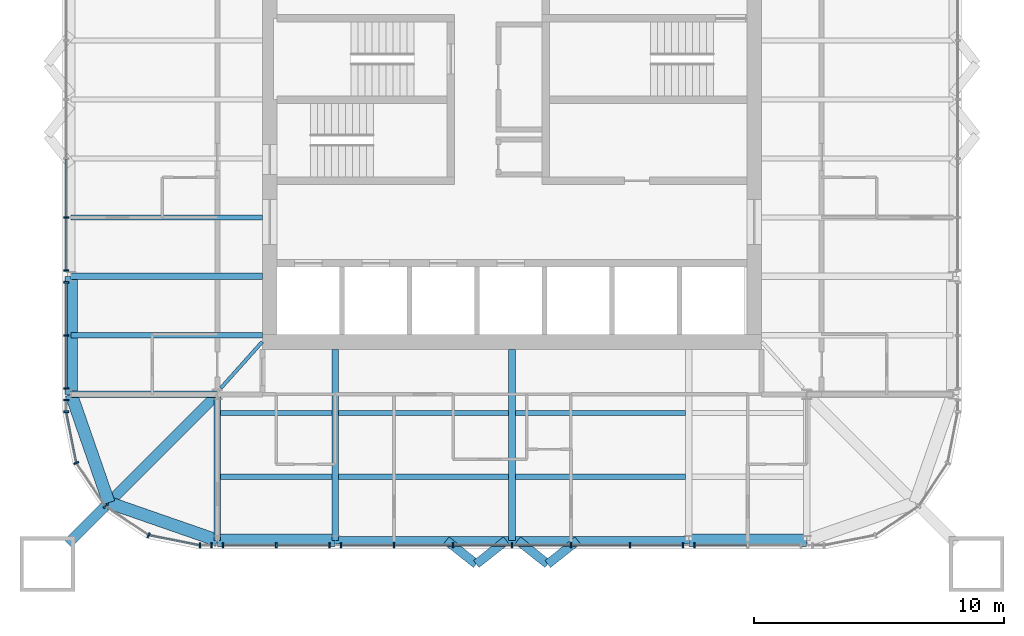
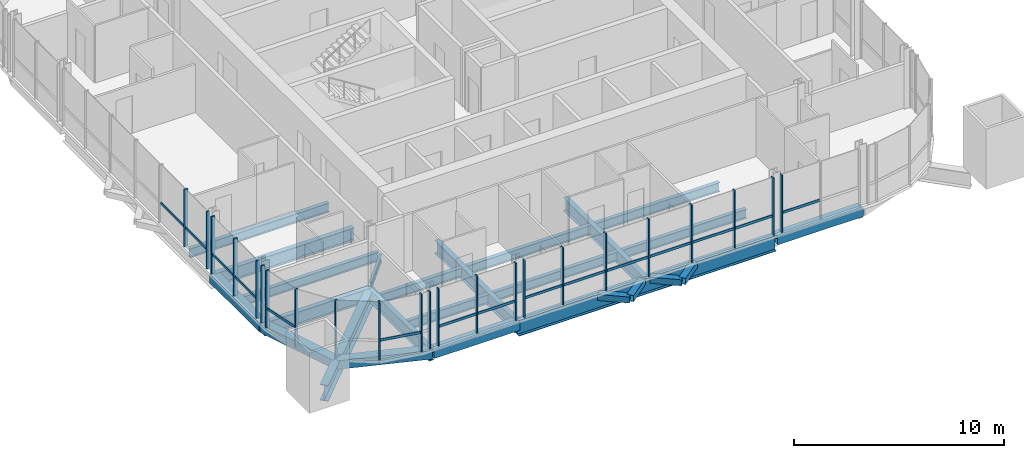
# One storey, part 2 of 17: 38 members, 25 beams, 8 elements without a shape of their own.
"""IFC4 building model written with IfcOpenShell, lengths in metres."""

import ifcopenshell
import ifcopenshell.guid

model = None  # the IFC model being written
_history = None  # IfcOwnerHistory: only IFC2X3 demands one
_inside = {}  # id of a spatial element -> (the spatial element, [elements in it])
_under = {}  # id of a project, library or spatial element -> (it, [spatial elements below it])
_declared = {}  # id of a project -> (the project, [libraries it declares])
_typed = {}  # id of a type object -> (the type object, [elements of that type])
_made_of = {}  # id of a material, layer set ... -> (it, [elements and type objects made of it])


def new_model(schema):
    """Start an empty IFC model of exactly this schema.

    Asked for "IFC4X3", IfcOpenShell would pick the latest addendum, in which some entities
    have other attributes; the version numbers below select the first issue.
    IFC2X3 requires an IfcOwnerHistory on every rooted entity: one is made here for all.
    """
    global model, _history
    if schema == "IFC4X3":
        model = ifcopenshell.file(schema_version=(4, 3, 0, 0))
    else:
        model = ifcopenshell.file(schema=schema)
    _inside.clear()
    _under.clear()
    _declared.clear()
    _typed.clear()
    _made_of.clear()
    _history = None
    if model.schema == "IFC2X3":
        org = make("IfcOrganization", Name="unknown")
        user = make(
            "IfcPersonAndOrganization",
            ThePerson=make("IfcPerson", FamilyName="unknown"),
            TheOrganization=org,
        )
        app = make(
            "IfcApplication",
            ApplicationDeveloper=org,
            Version="unknown",
            ApplicationFullName="unknown",
            ApplicationIdentifier="unknown",
        )
        _history = make(
            "IfcOwnerHistory",
            OwningUser=user,
            OwningApplication=app,
            ChangeAction="ADDED",
            CreationDate=0,
        )
    return model


def make(cls, **values):
    """One entity of the class cls with the attributes given. An attribute that is None is left unset."""
    return model.create_entity(
        cls, **{name: value for name, value in values.items() if value is not None}
    )


def rooted(cls, **values):
    """An entity with a GlobalId (a new one), such as an element, a storey or a relation."""
    return make(cls, GlobalId=ifcopenshell.guid.new(), OwnerHistory=_history, **values)


def si_unit(unit_type, name, prefix=None):
    """IfcSIUnit, for example si_unit("LENGTHUNIT", "METRE", prefix="MILLI")."""
    return make("IfcSIUnit", UnitType=unit_type, Prefix=prefix, Name=name)


def assignment(units):
    """IfcUnitAssignment: the units of a project."""
    return None if units is None else make("IfcUnitAssignment", Units=units)


def point(xyz):
    """IfcCartesianPoint."""
    return None if xyz is None else make("IfcCartesianPoint", Coordinates=xyz)


def direction(xyz):
    """IfcDirection."""
    return None if xyz is None else make("IfcDirection", DirectionRatios=xyz)


def frame(location, z_axis=None, x_axis=None):
    """IfcAxis2Placement3D, a coordinate frame: its origin and axes. An axis left out is left unset."""
    return make(
        "IfcAxis2Placement3D",
        Location=point(location),
        Axis=direction(z_axis),
        RefDirection=direction(x_axis),
    )


def frame_2d(location, x_axis=None):
    """IfcAxis2Placement2D, a coordinate frame in the plane: its origin and x axis."""
    return make(
        "IfcAxis2Placement2D", Location=point(location), RefDirection=direction(x_axis)
    )


def origin():
    """The frame at (0, 0, 0) with its axes left unset."""
    return frame((0.0, 0.0, 0.0))


def origin_2d():
    """The frame at (0, 0) in the plane with its x axis left unset."""
    return frame_2d((0.0, 0.0))


def place(relative_to, where):
    """IfcLocalPlacement: puts the frame where relative to a parent placement (None: the world)."""
    return make(
        "IfcLocalPlacement", PlacementRelTo=relative_to, RelativePlacement=where
    )


def context(
    kind, dimensions, precision=None, world=None, true_north=None, identifier=None
):
    """IfcGeometricRepresentationContext, for example the 3D "Model" context."""
    return make(
        "IfcGeometricRepresentationContext",
        ContextIdentifier=identifier,
        ContextType=kind,
        CoordinateSpaceDimension=dimensions,
        Precision=precision,
        WorldCoordinateSystem=world,
        TrueNorth=true_north,
    )


def subcontext(parent, identifier, kind, view, scale=None):
    """IfcGeometricRepresentationSubContext, for example "Body" below "Model"."""
    return make(
        "IfcGeometricRepresentationSubContext",
        ContextIdentifier=identifier,
        ContextType=kind,
        ParentContext=parent,
        TargetScale=scale,
        TargetView=view,
    )


def project(units=None, contexts=None):
    """IfcProject with its units and contexts."""
    return rooted(
        "IfcProject",
        Name="project",
        RepresentationContexts=contexts,
        UnitsInContext=assignment(units),
    )


def spatial(cls, under=None, at=None, **own):
    """A site, building, storey or space (cls), placed at a placement, below another one or the project."""
    s = rooted(cls, ObjectPlacement=at, **own)
    if under is not None:
        _under.setdefault(under.id(), (under, []))[1].append(s)
    return s


def profile(cls, at=None, kind="AREA", **sizes):
    """A parametric profile (cls). Its sizes go by their IFC names, for example OverallWidth=200.0."""
    return make(cls, ProfileType=kind, Position=at, **sizes)


def rectangle(**sizes):
    """IfcRectangleProfileDef."""
    return profile("IfcRectangleProfileDef", **sizes)


def hollow_rectangle(**sizes):
    """IfcRectangleHollowProfileDef."""
    return profile("IfcRectangleHollowProfileDef", **sizes)


def i_section(**sizes):
    """IfcIShapeProfileDef."""
    return profile("IfcIShapeProfileDef", **sizes)


def extrude(swept, where, along, depth):
    """IfcExtrudedAreaSolid: the profile swept, set in the frame where, extruded along a direction by depth."""
    return make(
        "IfcExtrudedAreaSolid",
        SweptArea=swept,
        Position=where,
        ExtrudedDirection=direction(along),
        Depth=depth,
    )


def shape(context_of_items, identifier, shape_type, items):
    """IfcShapeRepresentation: the items that make up one representation, for example the "Body"."""
    return make(
        "IfcShapeRepresentation",
        ContextOfItems=context_of_items,
        RepresentationIdentifier=identifier,
        RepresentationType=shape_type,
        Items=items,
    )


def material(Name=None, Category=None):
    """IfcMaterial."""
    return make("IfcMaterial", Name=Name, Category=Category)


def material_profile(
    of_material, cross_section, Name=None, Category=None, Priority=None
):
    """IfcMaterialProfile: a cross section and its material."""
    return make(
        "IfcMaterialProfile",
        Name=Name,
        Material=of_material,
        Profile=cross_section,
        Priority=Priority,
        Category=Category,
    )


def profile_set(profiles, Name=None, composite=None):
    """IfcMaterialProfileSet."""
    return make(
        "IfcMaterialProfileSet",
        Name=Name,
        MaterialProfiles=profiles,
        CompositeProfile=composite,
    )


def made_of(thing, what):
    """Note that an element or type object is made of a material, layer set ...; save() writes the relation."""
    if what is not None:
        _made_of.setdefault(what.id(), (what, []))[1].append(thing)
    return thing


def type_object(cls, material=None, **own):
    """A type object (cls), such as IfcWallType, which elements share."""
    return made_of(rooted(cls, **own), material)


def element(
    cls,
    number,
    at=None,
    inside=None,
    cuts=None,
    type_object=None,
    material=None,
    context=None,
    identifier="Body",
    shape_type=None,
    held_by="IfcProductDefinitionShape",
    body=None,
    shapes=None,
    **own,
):
    """One element of the class cls, such as IfcWall. Its Tag is "e" and its number.

    at: its placement. inside: the storey or other place that contains it. cuts: it is an
    opening in that element (IfcRelVoidsElement). A single representation is given by context,
    identifier, shape_type and body (its items); several are given by shapes. held_by: the class
    of the entity that holds the representations. save() writes the other relations.
    """
    e = rooted(cls, Tag="e%d" % number, ObjectPlacement=at, **own)
    if body is not None:
        shapes = [shape(context, identifier, shape_type, body)]
    if shapes is not None:
        e.Representation = make(held_by, Representations=shapes)
    if inside is not None:
        _inside.setdefault(inside.id(), (inside, []))[1].append(e)
    if cuts is not None:
        rooted(
            "IfcRelVoidsElement", RelatingBuildingElement=cuts, RelatedOpeningElement=e
        )
    if type_object is not None:
        _typed.setdefault(type_object.id(), (type_object, []))[1].append(e)
    return made_of(e, material)


def aggregate(whole, parts):
    """IfcRelAggregates: a whole, such as a stair, and the parts it consists of."""
    return rooted("IfcRelAggregates", RelatingObject=whole, RelatedObjects=parts)


def save(model, path):
    """Write the relations noted so far, then the file.

    IfcRelAggregates (storeys below a building ...), IfcRelContainedInSpatialStructure (elements
    in a storey), IfcRelDefinesByType, IfcRelAssociatesMaterial and IfcRelDeclares: one each for
    every whole, place, type object, material and project.
    """
    for whole, parts in _under.values():
        aggregate(whole, parts)
    for where, things in _inside.values():
        rooted(
            "IfcRelContainedInSpatialStructure",
            RelatedElements=things,
            RelatingStructure=where,
        )
    for kind, things in _typed.values():
        rooted("IfcRelDefinesByType", RelatedObjects=things, RelatingType=kind)
    for what, things in _made_of.values():
        rooted("IfcRelAssociatesMaterial", RelatedObjects=things, RelatingMaterial=what)
    for by, libraries in _declared.values():
        rooted("IfcRelDeclares", RelatingContext=by, RelatedDefinitions=libraries)
    model.write(path)


model = new_model("IFC4")

# Units and contexts
model_context = context("Model", 3, precision=1e-05, world=origin(), true_north=direction((0.0, 1.0)))
body_context = subcontext(model_context, "Body", "Model", "MODEL_VIEW")
ifc_project = project(units=[si_unit("LENGTHUNIT", "METRE"), si_unit("AREAUNIT", "SQUARE_METRE"), si_unit("VOLUMEUNIT", "CUBIC_METRE"), si_unit("PLANEANGLEUNIT", "RADIAN"), si_unit("MASSUNIT", "GRAM", prefix="KILO")], contexts=[model_context])

# Site, building, storey
site_placement = place(None, origin())
site = spatial("IfcSite", under=ifc_project, at=site_placement, CompositionType="ELEMENT")
building_placement = place(site_placement, origin())
building = spatial("IfcBuilding", under=site, at=building_placement, Name="Turquesa Mirador Hotel Tower", CompositionType="ELEMENT")
storey_placement = place(building_placement, frame((0.0, 0.0, 251.199951171875)))
storey = spatial("IfcBuildingStorey", under=building, at=storey_placement, Name="L68", CompositionType="ELEMENT", Elevation=251.199951171875)

# Beams
ifc_material_1 = material(Name="Steel ASTM A572 Grade 50", Category="steel")
ifc_material_profile_1 = material_profile(ifc_material_1, hollow_rectangle(XDim=0.5, YDim=0.5, WallThickness=0.01611328125, at=origin_2d()), Name="BOX500X500X16")
ifc_profile_set_1 = profile_set([ifc_material_profile_1], Name="Steel ASTM A572 Grade 50")
beam_type_1 = type_object("IfcBeamType", Name="BEAM BOX500X500X16", PredefinedType="BEAM", material=ifc_profile_set_1)
for number, where, z_axis, x_axis, name in (
    (1, (43.199951171875, 27.35009765625, -0.419921875), (1.0, 0.0, 0.0), (0.0, 1.0, 0.0), "EB-L68-S-L"),
    (2, (62.080078125, 27.35009765625, -0.419921875), (1.0, 0.0, 0.0), (0.0, 1.0, 0.0), "EB-L68-S-R"),
    (3, (37.35009765625, 33.199951171875, -0.419921875), (0.0, 1.0, 0.0), (-1.0, 0.0, 0.0), "EB-L68-W-L"),
):
    element("IfcBeam", number, at=place(storey_placement, frame(where, z_axis=z_axis, x_axis=x_axis)), inside=storey, type_object=beam_type_1, Name=name, PredefinedType="BEAM", context=body_context, shape_type="SweptSolid", body=[
        extrude(hollow_rectangle(XDim=0.5, YDim=0.5, WallThickness=0.01611328125, at=origin_2d()), origin(), (0.0, 0.0, 1.0), 4.719970703125),
    ])
for number, where, z_axis, x_axis, name in (
    (4, (37.35009765625, 33.199951171875, -0.419921875), (0.328170356092, -0.944618556552, 0.0), (0.944618556552, 0.328170356092, 0.0), "KE-L68-3-0"),
    (5, (38.8583984375, 28.8583984375, -0.419921875), (0.944618556552, -0.328170356092, 0.0), (0.328170356092, 0.944618556552, 0.0), "KE-L68-3-1"),
):
    element("IfcBeam", number, at=place(storey_placement, frame(where, z_axis=z_axis, x_axis=x_axis)), inside=storey, type_object=beam_type_1, Name=name, PredefinedType="BEAM", context=body_context, shape_type="SweptSolid", body=[
        extrude(hollow_rectangle(XDim=0.5, YDim=0.5, WallThickness=0.01611328125, at=origin_2d()), origin(), (0.0, 0.0, 1.0), 4.59619140625),
    ])
ifc_material_2 = material(Name="Steel ASTM A992 Grade 50", Category="steel")
ifc_material_profile_2 = material_profile(ifc_material_2, i_section(OverallWidth=0.140380859375, OverallDepth=0.40380859375, WebThickness=0.007080078125, FlangeThickness=0.01123046875, at=origin_2d()), Name="W16X31")
ifc_profile_set_2 = profile_set([ifc_material_profile_2], Name="Steel ASTM A992 Grade 50")
beam_type_2 = type_object("IfcBeamType", Name="BEAM W16X31", PredefinedType="BEAM", material=ifc_profile_set_2)
beam_1_placement = place(storey_placement, frame((43.343505859375, 33.44873046875, -0.371826171875), z_axis=(0.666806350186, 0.745231032198, 0.0), x_axis=(-0.745231032198, 0.666806350186, 0.0)))
element("IfcBeam", 6, at=beam_1_placement, inside=storey, type_object=beam_type_2, Name="KT-L68-3", PredefinedType="BEAM", context=body_context, shape_type="SweptSolid", body=[
    extrude(i_section(OverallWidth=0.140380859375, OverallDepth=0.40380859375, WebThickness=0.007080078125, FlangeThickness=0.01123046875, at=origin_2d()), origin(), (0.0, 0.0, 1.0), 2.484130859375),
])
ifc_material_3 = material(Name="Steel ASTM A992 Grade 50", Category="steel")
ifc_material_profile_3 = material_profile(ifc_material_3, i_section(OverallWidth=0.209228515625, OverallDepth=0.533447265625, WebThickness=0.01025390625, FlangeThickness=0.015625, at=origin_2d()), Name="W21X62")
ifc_profile_set_3 = profile_set([ifc_material_profile_3], Name="Steel ASTM A992 Grade 50")
beam_type_3 = type_object("IfcBeamType", Name="BEAM W21X62", PredefinedType="BEAM", material=ifc_profile_set_3)
beam_2_placement = place(storey_placement, frame((43.333251953125, 32.449951171875, -0.436767578125), z_axis=(1.0, 0.0, 0.0), x_axis=(0.0, 1.0, 0.0)))
element("IfcBeam", 7, at=beam_2_placement, inside=storey, type_object=beam_type_3, Name="IB-L68-S-1-0", PredefinedType="BEAM", context=body_context, shape_type="SweptSolid", body=[
    extrude(i_section(OverallWidth=0.209228515625, OverallDepth=0.533447265625, WebThickness=0.01025390625, FlangeThickness=0.015625, at=origin_2d()), origin(), (0.0, 0.0, 1.0), 4.453369140625),
])
for number, where, z_axis, x_axis, name in (
    (8, (48.053466796875, 32.449951171875, -0.436767578125), (1.0, 0.0, 0.0), (0.0, 1.0, 0.0), "IB-L68-S-1-1"),
    (9, (55.13330078125, 32.449951171875, -0.436767578125), (1.0, 0.0, 0.0), (0.0, 1.0, 0.0), "IB-L68-S-1-2"),
):
    element("IfcBeam", number, at=place(storey_placement, frame(where, z_axis=z_axis, x_axis=x_axis)), inside=storey, type_object=beam_type_3, Name=name, PredefinedType="BEAM", context=body_context, shape_type="SweptSolid", body=[
        extrude(i_section(OverallWidth=0.209228515625, OverallDepth=0.533447265625, WebThickness=0.01025390625, FlangeThickness=0.015625, at=origin_2d()), origin(), (0.0, 0.0, 1.0), 6.813232421875),
    ])
beam_3_placement = place(storey_placement, frame((43.333251953125, 29.89990234375, -0.436767578125), z_axis=(1.0, 0.0, 0.0), x_axis=(0.0, 1.0, 0.0)))
element("IfcBeam", 10, at=beam_3_placement, inside=storey, type_object=beam_type_3, Name="IB-L68-S-2-0", PredefinedType="BEAM", context=body_context, shape_type="SweptSolid", body=[
    extrude(i_section(OverallWidth=0.209228515625, OverallDepth=0.533447265625, WebThickness=0.01025390625, FlangeThickness=0.015625, at=origin_2d()), origin(), (0.0, 0.0, 1.0), 4.453369140625),
])
for number, where, z_axis, x_axis, name in (
    (11, (48.053466796875, 29.89990234375, -0.436767578125), (1.0, 0.0, 0.0), (0.0, 1.0, 0.0), "IB-L68-S-2-1"),
    (12, (55.13330078125, 29.89990234375, -0.436767578125), (1.0, 0.0, 0.0), (0.0, 1.0, 0.0), "IB-L68-S-2-2"),
):
    element("IfcBeam", number, at=place(storey_placement, frame(where, z_axis=z_axis, x_axis=x_axis)), inside=storey, type_object=beam_type_3, Name=name, PredefinedType="BEAM", context=body_context, shape_type="SweptSolid", body=[
        extrude(i_section(OverallWidth=0.209228515625, OverallDepth=0.533447265625, WebThickness=0.01025390625, FlangeThickness=0.015625, at=origin_2d()), origin(), (0.0, 0.0, 1.0), 6.813232421875),
    ])
for number, where, z_axis, x_axis, name in (
    (13, (37.35009765625, 35.56005859375, -0.436767578125), (1.0, 0.0, 0.0), (0.0, 1.0, 0.0), "BM-L68-W--9.44"),
    (14, (37.35009765625, 40.280029296875, -0.436767578125), (1.0, 0.0, 0.0), (0.0, 1.0, 0.0), "BM-L68-W--4.72"),
):
    element("IfcBeam", number, at=place(storey_placement, frame(where, z_axis=z_axis, x_axis=x_axis)), inside=storey, type_object=beam_type_3, Name=name, PredefinedType="BEAM", context=body_context, shape_type="SweptSolid", body=[
        extrude(i_section(OverallWidth=0.209228515625, OverallDepth=0.533447265625, WebThickness=0.01025390625, FlangeThickness=0.015625, at=origin_2d()), origin(), (0.0, 0.0, 1.0), 7.64990234375),
    ])
ifc_material_4 = material(Name="Steel ASTM A992 Grade 50", Category="steel")
ifc_material_profile_4 = material_profile(ifc_material_4, i_section(OverallWidth=0.2666015625, OverallDepth=0.7568359375, WebThickness=0.013916015625, FlangeThickness=0.019287109375, at=origin_2d()), Name="W30X108")
ifc_profile_set_4 = profile_set([ifc_material_profile_4], Name="Steel ASTM A992 Grade 50")
beam_type_4 = type_object("IfcBeamType", Name="BEAM W30X108", PredefinedType="BEAM", material=ifc_profile_set_4)
for number, where, z_axis, x_axis, name in (
    (15, (47.919921875, 27.35009765625, -0.54833984375), (0.0, 1.0, 0.0), (-1.0, 0.0, 0.0), "GD-L68-S--7.08"),
    (16, (55.0, 27.35009765625, -0.54833984375), (0.0, 1.0, 0.0), (-1.0, 0.0, 0.0), "GD-L68-S-+0.00"),
):
    element("IfcBeam", number, at=place(storey_placement, frame(where, z_axis=z_axis, x_axis=x_axis)), inside=storey, type_object=beam_type_4, Name=name, PredefinedType="BEAM", context=body_context, shape_type="SweptSolid", body=[
        extrude(i_section(OverallWidth=0.2666015625, OverallDepth=0.7568359375, WebThickness=0.013916015625, FlangeThickness=0.019287109375, at=origin_2d()), origin(), (0.0, 0.0, 1.0), 7.64990234375),
    ])
beam_4_placement = place(storey_placement, frame((43.199951171875, 27.35009765625, -0.54833984375), z_axis=(0.0, 1.0, 0.0), x_axis=(-1.0, 0.0, 0.0)))
element("IfcBeam", 17, at=beam_4_placement, inside=storey, type_object=beam_type_4, Name="GK-L68-S--11.80", PredefinedType="BEAM", context=body_context, shape_type="SweptSolid", body=[
    extrude(i_section(OverallWidth=0.2666015625, OverallDepth=0.7568359375, WebThickness=0.013916015625, FlangeThickness=0.019287109375, at=origin_2d()), origin(), (0.0, 0.0, 1.0), 5.849853515625),
])
beam_5_placement = place(storey_placement, frame((37.35009765625, 37.919921875, -0.54833984375), z_axis=(1.0, 0.0, 0.0), x_axis=(0.0, 1.0, 0.0)))
element("IfcBeam", 18, at=beam_5_placement, inside=storey, type_object=beam_type_4, Name="GD-L68-W--7.08", PredefinedType="BEAM", context=body_context, shape_type="SweptSolid", body=[
    extrude(i_section(OverallWidth=0.2666015625, OverallDepth=0.7568359375, WebThickness=0.013916015625, FlangeThickness=0.019287109375, at=origin_2d()), origin(), (0.0, 0.0, 1.0), 7.64990234375),
])
beam_6_placement = place(storey_placement, frame((37.35009765625, 33.199951171875, -0.54833984375), z_axis=(1.0, 0.0, 0.0), x_axis=(0.0, 1.0, 0.0)))
element("IfcBeam", 19, at=beam_6_placement, inside=storey, type_object=beam_type_4, Name="GK-L68-W--11.80", PredefinedType="BEAM", context=body_context, shape_type="SweptSolid", body=[
    extrude(i_section(OverallWidth=0.2666015625, OverallDepth=0.7568359375, WebThickness=0.013916015625, FlangeThickness=0.019287109375, at=origin_2d()), origin(), (0.0, 0.0, 1.0), 5.849853515625),
])
ifc_material_5 = material(Name="Steel ASTM A992 Grade 50", Category="steel")
ifc_material_profile_5 = material_profile(ifc_material_5, i_section(OverallWidth=0.3046875, OverallDepth=0.911865234375, WebThickness=0.015869140625, FlangeThickness=0.02392578125, at=origin_2d()), Name="W36X150")
ifc_profile_set_5 = profile_set([ifc_material_profile_5], Name="Steel ASTM A992 Grade 50")
beam_type_5 = type_object("IfcBeamType", Name="BEAM W36X150", PredefinedType="BEAM", material=ifc_profile_set_5)
beam_7_placement = place(storey_placement, frame((47.919921875, 27.35009765625, -0.6259765625), z_axis=(1.0, 0.0, 0.0), x_axis=(0.0, 1.0, 0.0)))
element("IfcBeam", 20, at=beam_7_placement, inside=storey, type_object=beam_type_5, Name="EB-L68-S-C", PredefinedType="BEAM", context=body_context, shape_type="SweptSolid", body=[
    extrude(i_section(OverallWidth=0.3046875, OverallDepth=0.911865234375, WebThickness=0.015869140625, FlangeThickness=0.02392578125, at=origin_2d()), origin(), (0.0, 0.0, 1.0), 14.16015625),
])
ifc_material_6 = material(Name="Steel ASTM A992 Grade 50", Category="steel")
ifc_material_profile_6 = material_profile(ifc_material_6, i_section(OverallWidth=0.419189453125, OverallDepth=0.927001953125, WebThickness=0.019287109375, FlangeThickness=0.031982421875, at=origin_2d()), Name="W36X231")
ifc_profile_set_6 = profile_set([ifc_material_profile_6], Name="Steel ASTM A992 Grade 50")
beam_type_6 = type_object("IfcBeamType", Name="BEAM W36X231", PredefinedType="BEAM", material=ifc_profile_set_6)
beam_8_placement = place(storey_placement, frame((43.199951171875, 33.199951171875, -0.633544921875), z_axis=(-0.707106781187, -0.707106781187, 0.0), x_axis=(0.707106781187, -0.707106781187, 0.0)))
element("IfcBeam", 21, at=beam_8_placement, inside=storey, type_object=beam_type_6, Name="KD-L68-3", PredefinedType="BEAM", context=body_context, shape_type="SweptSolid", body=[
    extrude(i_section(OverallWidth=0.419189453125, OverallDepth=0.927001953125, WebThickness=0.019287109375, FlangeThickness=0.031982421875, at=origin_2d()), origin(), (0.0, 0.0, 1.0), 8.46240234375),
])
ifc_material_7 = material(Name="Steel ASTM A500 Grade C", Category="steel")
ifc_material_profile_7 = material_profile(ifc_material_7, hollow_rectangle(XDim=0.355712890625, YDim=0.355712890625, WallThickness=0.0146484375, at=origin_2d()), Name="HSS14X14X5/8")
ifc_profile_set_7 = profile_set([ifc_material_profile_7], Name="Steel ASTM A500 Grade C")
beam_type_7 = type_object("IfcBeamType", Name="BRACE STRUT HSS14X14X5/8", PredefinedType="BEAM", material=ifc_profile_set_7)
beam_9_placement = place(storey_placement, frame((56.4306640625, 26.39990234375, -0.34765625), z_axis=(-0.783971428146, 0.620796907089, 0.0), x_axis=(-0.620796907089, -0.783971428146, 0.0)))
element("IfcBeam", 22, at=beam_9_placement, inside=storey, type_object=beam_type_7, Name="Brace strut", PredefinedType="BEAM", context=body_context, shape_type="SweptSolid", body=[
    extrude(hollow_rectangle(XDim=0.355712890625, YDim=0.355712890625, WallThickness=0.0146484375, at=origin_2d()), origin(), (0.0, 0.0, 1.0), 1.530517578125),
])
for number, where, z_axis, x_axis, name in (
    (23, (56.4306640625, 26.39990234375, -0.34765625), (0.784032888399, 0.620719284306, 0.0), (-0.620719284306, 0.784032888399, 0.0), "Brace strut"),
    (24, (53.5693359375, 26.39990234375, -0.34765625), (-0.784032888399, 0.620719284306, 0.0), (-0.620719284306, -0.784032888399, 0.0), "Brace strut"),
):
    element("IfcBeam", number, at=place(storey_placement, frame(where, z_axis=z_axis, x_axis=x_axis)), inside=storey, type_object=beam_type_7, Name=name, PredefinedType="BEAM", context=body_context, shape_type="SweptSolid", body=[
        extrude(hollow_rectangle(XDim=0.355712890625, YDim=0.355712890625, WallThickness=0.0146484375, at=origin_2d()), origin(), (0.0, 0.0, 1.0), 1.53076171875),
    ])
beam_10_placement = place(storey_placement, frame((53.5693359375, 26.39990234375, -0.34765625), z_axis=(0.783971428146, 0.620796907089, 0.0), x_axis=(-0.620796907089, 0.783971428146, 0.0)))
element("IfcBeam", 25, at=beam_10_placement, inside=storey, type_object=beam_type_7, Name="Brace strut", PredefinedType="BEAM", context=body_context, shape_type="SweptSolid", body=[
    extrude(hollow_rectangle(XDim=0.355712890625, YDim=0.355712890625, WallThickness=0.0146484375, at=origin_2d()), origin(), (0.0, 0.0, 1.0), 1.530517578125),
])

# Curtain wall, members
ifc_material_8 = material(Name="Aluminium extrusion", Category="aluminium")
curtain_wall_type = type_object("IfcCurtainWallType", Name="CW-4 SUITE FRITTED CURTAIN WALL", PredefinedType="USERDEFINED", material=ifc_material_8)
curtain_wall_1_placement = place(storey_placement, origin())
curtain_wall_1 = element("IfcCurtainWall", 26, at=curtain_wall_1_placement, inside=storey, type_object=curtain_wall_type, Name="CW-4 SUITE FRITTED CURTAIN WALL L68", ObjectType="CURTAIN WALL", PredefinedType="USERDEFINED")
ifc_material_9 = material(Name="Aluminium extrusion", Category="aluminium")
ifc_material_profile_8 = material_profile(ifc_material_9, rectangle(XDim=0.06494140625, YDim=0.199951171875, at=origin_2d()), Name="MULLION 65X200")
ifc_profile_set_8 = profile_set([ifc_material_profile_8], Name="Aluminium extrusion")
member_type_1 = type_object("IfcMemberType", Name="CW MULLION 65X200", PredefinedType="MULLION", material=ifc_profile_set_8)
member_1_placement = place(storey_placement, frame((37.14990234375, 40.280029296875, 0.0), z_axis=(0.0, 0.0, 1.0), x_axis=(0.0, -1.0, 0.0)))
member_1 = element("IfcMember", 27, at=member_1_placement, type_object=member_type_1, Name="Mullion", PredefinedType="MULLION", context=body_context, shape_type="SweptSolid", body=[
    extrude(rectangle(XDim=0.06494140625, YDim=0.199951171875, at=origin_2d()), origin(), (0.0, 0.0, 1.0), 3.330078125),
])
member_2_placement = place(storey_placement, frame((37.14990234375, 38.15380859375, 0.0), z_axis=(0.0, 0.0, 1.0), x_axis=(0.0, -1.0, 0.0)))
member_2 = element("IfcMember", 28, at=member_2_placement, type_object=member_type_1, Name="Mullion", PredefinedType="MULLION", context=body_context, shape_type="SweptSolid", body=[
    extrude(rectangle(XDim=0.06494140625, YDim=0.199951171875, at=origin_2d()), origin(), (0.0, 0.0, 1.0), 3.330078125),
])

curtain_wall_2_placement = place(storey_placement, origin())
curtain_wall_2 = element("IfcCurtainWall", 29, at=curtain_wall_2_placement, inside=storey, type_object=curtain_wall_type, Name="CW-4 SUITE FRITTED CURTAIN WALL L68", ObjectType="CURTAIN WALL", PredefinedType="USERDEFINED")
member_3_placement = place(storey_placement, frame((37.14990234375, 37.68603515625, 0.0), z_axis=(0.0, 0.0, 1.0), x_axis=(0.0, -1.0, 0.0)))
member_3 = element("IfcMember", 30, at=member_3_placement, type_object=member_type_1, Name="Mullion", PredefinedType="MULLION", context=body_context, shape_type="SweptSolid", body=[
    extrude(rectangle(XDim=0.06494140625, YDim=0.199951171875, at=origin_2d()), origin(), (0.0, 0.0, 1.0), 3.330078125),
])
member_4_placement = place(storey_placement, frame((37.14990234375, 35.56005859375, 0.0), z_axis=(0.0, 0.0, 1.0), x_axis=(0.0, -1.0, 0.0)))
member_4 = element("IfcMember", 31, at=member_4_placement, type_object=member_type_1, Name="Mullion", PredefinedType="MULLION", context=body_context, shape_type="SweptSolid", body=[
    extrude(rectangle(XDim=0.06494140625, YDim=0.199951171875, at=origin_2d()), origin(), (0.0, 0.0, 1.0), 3.330078125),
])
member_5_placement = place(storey_placement, frame((37.14990234375, 33.433837890625, 0.0), z_axis=(0.0, 0.0, 1.0), x_axis=(0.0, -1.0, 0.0)))
member_5 = element("IfcMember", 32, at=member_5_placement, type_object=member_type_1, Name="Mullion", PredefinedType="MULLION", context=body_context, shape_type="SweptSolid", body=[
    extrude(rectangle(XDim=0.06494140625, YDim=0.199951171875, at=origin_2d()), origin(), (0.0, 0.0, 1.0), 3.330078125),
])

curtain_wall_3_placement = place(storey_placement, origin())
curtain_wall_3 = element("IfcCurtainWall", 33, at=curtain_wall_3_placement, inside=storey, type_object=curtain_wall_type, Name="CW-4 SUITE FRITTED CURTAIN WALL L68", ObjectType="CURTAIN WALL", PredefinedType="USERDEFINED")
member_6_placement = place(storey_placement, frame((37.14990234375, 32.966064453125, 0.0), z_axis=(0.0, 0.0, 1.0), x_axis=(0.0, -1.0, 0.0)))
member_6 = element("IfcMember", 34, at=member_6_placement, type_object=member_type_1, Name="Mullion", PredefinedType="MULLION", context=body_context, shape_type="SweptSolid", body=[
    extrude(rectangle(XDim=0.06494140625, YDim=0.199951171875, at=origin_2d()), origin(), (0.0, 0.0, 1.0), 3.330078125),
])
member_7_placement = place(storey_placement, frame((37.14990234375, 32.5, 0.0), z_axis=(0.0, 0.0, 1.0), x_axis=(0.0, -1.0, 0.0)))
member_7 = element("IfcMember", 35, at=member_7_placement, type_object=member_type_1, Name="Mullion", PredefinedType="MULLION", context=body_context, shape_type="SweptSolid", body=[
    extrude(rectangle(XDim=0.06494140625, YDim=0.199951171875, at=origin_2d()), origin(), (0.0, 0.0, 1.0), 3.330078125),
])
aggregate(curtain_wall_3, [member_6, member_7])

curtain_wall_4_placement = place(storey_placement, origin())
curtain_wall_4 = element("IfcCurtainWall", 36, at=curtain_wall_4_placement, inside=storey, type_object=curtain_wall_type, Name="CW-4 SUITE FRITTED CURTAIN WALL L68", ObjectType="CURTAIN WALL", PredefinedType="USERDEFINED")
member_8_placement = place(storey_placement, frame((37.55712890625, 30.45263671875, 0.0), z_axis=(0.0, 0.0, 1.0), x_axis=(0.382683432365, -0.923879532511, 0.0)))
member_8 = element("IfcMember", 37, at=member_8_placement, type_object=member_type_1, Name="Mullion", PredefinedType="MULLION", context=body_context, shape_type="SweptSolid", body=[
    extrude(rectangle(XDim=0.06494140625, YDim=0.199951171875, at=origin_2d()), origin(), (0.0, 0.0, 1.0), 3.330078125),
])
member_9_placement = place(storey_placement, frame((38.717041015625, 28.717041015625, 0.0), z_axis=(0.0, 0.0, 1.0), x_axis=(0.707106781187, -0.707106781187, 0.0)))
member_9 = element("IfcMember", 38, at=member_9_placement, type_object=member_type_1, Name="Mullion", PredefinedType="MULLION", context=body_context, shape_type="SweptSolid", body=[
    extrude(rectangle(XDim=0.06494140625, YDim=0.199951171875, at=origin_2d()), origin(), (0.0, 0.0, 1.0), 3.330078125),
])
member_10_placement = place(storey_placement, frame((40.45263671875, 27.55712890625, 0.0), z_axis=(0.0, 0.0, 1.0), x_axis=(0.923879532511, -0.382683432365, 0.0)))
member_10 = element("IfcMember", 39, at=member_10_placement, type_object=member_type_1, Name="Mullion", PredefinedType="MULLION", context=body_context, shape_type="SweptSolid", body=[
    extrude(rectangle(XDim=0.06494140625, YDim=0.199951171875, at=origin_2d()), origin(), (0.0, 0.0, 1.0), 3.330078125),
])

curtain_wall_5_placement = place(storey_placement, origin())
curtain_wall_5 = element("IfcCurtainWall", 40, at=curtain_wall_5_placement, inside=storey, type_object=curtain_wall_type, Name="CW-4 SUITE FRITTED CURTAIN WALL L68", ObjectType="CURTAIN WALL", PredefinedType="USERDEFINED")
member_11_placement = place(storey_placement, frame((42.5, 27.14990234375, 0.0), z_axis=(0.0, 0.0, 1.0), x_axis=(1.0, 0.0, 0.0)))
member_11 = element("IfcMember", 41, at=member_11_placement, type_object=member_type_1, Name="Mullion", PredefinedType="MULLION", context=body_context, shape_type="SweptSolid", body=[
    extrude(rectangle(XDim=0.06494140625, YDim=0.199951171875, at=origin_2d()), origin(), (0.0, 0.0, 1.0), 3.330078125),
])
member_12_placement = place(storey_placement, frame((42.966064453125, 27.14990234375, 0.0), z_axis=(0.0, 0.0, 1.0), x_axis=(1.0, 0.0, 0.0)))
member_12 = element("IfcMember", 42, at=member_12_placement, type_object=member_type_1, Name="Mullion", PredefinedType="MULLION", context=body_context, shape_type="SweptSolid", body=[
    extrude(rectangle(XDim=0.06494140625, YDim=0.199951171875, at=origin_2d()), origin(), (0.0, 0.0, 1.0), 3.330078125),
])
aggregate(curtain_wall_5, [member_11, member_12])

curtain_wall_6_placement = place(storey_placement, origin())
curtain_wall_6 = element("IfcCurtainWall", 43, at=curtain_wall_6_placement, inside=storey, type_object=curtain_wall_type, Name="CW-4 SUITE FRITTED CURTAIN WALL L68", ObjectType="CURTAIN WALL", PredefinedType="USERDEFINED")
member_13_placement = place(storey_placement, frame((43.433837890625, 27.14990234375, 0.0), z_axis=(0.0, 0.0, 1.0), x_axis=(1.0, 0.0, 0.0)))
member_13 = element("IfcMember", 44, at=member_13_placement, type_object=member_type_1, Name="Mullion", PredefinedType="MULLION", context=body_context, shape_type="SweptSolid", body=[
    extrude(rectangle(XDim=0.06494140625, YDim=0.199951171875, at=origin_2d()), origin(), (0.0, 0.0, 1.0), 3.330078125),
])
member_14_placement = place(storey_placement, frame((45.56005859375, 27.14990234375, 0.0), z_axis=(0.0, 0.0, 1.0), x_axis=(1.0, 0.0, 0.0)))
member_14 = element("IfcMember", 45, at=member_14_placement, type_object=member_type_1, Name="Mullion", PredefinedType="MULLION", context=body_context, shape_type="SweptSolid", body=[
    extrude(rectangle(XDim=0.06494140625, YDim=0.199951171875, at=origin_2d()), origin(), (0.0, 0.0, 1.0), 3.330078125),
])
member_15_placement = place(storey_placement, frame((47.68603515625, 27.14990234375, 0.0), z_axis=(0.0, 0.0, 1.0), x_axis=(1.0, 0.0, 0.0)))
member_15 = element("IfcMember", 46, at=member_15_placement, type_object=member_type_1, Name="Mullion", PredefinedType="MULLION", context=body_context, shape_type="SweptSolid", body=[
    extrude(rectangle(XDim=0.06494140625, YDim=0.199951171875, at=origin_2d()), origin(), (0.0, 0.0, 1.0), 3.330078125),
])

curtain_wall_7_placement = place(storey_placement, origin())
curtain_wall_7 = element("IfcCurtainWall", 47, at=curtain_wall_7_placement, inside=storey, type_object=curtain_wall_type, Name="CW-4 SUITE FRITTED CURTAIN WALL L68", ObjectType="CURTAIN WALL", PredefinedType="USERDEFINED")
member_16_placement = place(storey_placement, frame((48.15380859375, 27.14990234375, 0.0), z_axis=(0.0, 0.0, 1.0), x_axis=(1.0, 0.0, 0.0)))
member_16 = element("IfcMember", 48, at=member_16_placement, type_object=member_type_1, Name="Mullion", PredefinedType="MULLION", context=body_context, shape_type="SweptSolid", body=[
    extrude(rectangle(XDim=0.06494140625, YDim=0.199951171875, at=origin_2d()), origin(), (0.0, 0.0, 1.0), 3.330078125),
])
member_17_placement = place(storey_placement, frame((50.280029296875, 27.14990234375, 0.0), z_axis=(0.0, 0.0, 1.0), x_axis=(1.0, 0.0, 0.0)))
member_17 = element("IfcMember", 49, at=member_17_placement, type_object=member_type_1, Name="Mullion", PredefinedType="MULLION", context=body_context, shape_type="SweptSolid", body=[
    extrude(rectangle(XDim=0.06494140625, YDim=0.199951171875, at=origin_2d()), origin(), (0.0, 0.0, 1.0), 3.330078125),
])
member_18_placement = place(storey_placement, frame((52.639892578125, 27.14990234375, 0.0), z_axis=(0.0, 0.0, 1.0), x_axis=(1.0, 0.0, 0.0)))
member_18 = element("IfcMember", 50, at=member_18_placement, type_object=member_type_1, Name="Mullion", PredefinedType="MULLION", context=body_context, shape_type="SweptSolid", body=[
    extrude(rectangle(XDim=0.06494140625, YDim=0.199951171875, at=origin_2d()), origin(), (0.0, 0.0, 1.0), 3.330078125),
])
member_19_placement = place(storey_placement, frame((55.0, 27.14990234375, 0.0), z_axis=(0.0, 0.0, 1.0), x_axis=(1.0, 0.0, 0.0)))
member_19 = element("IfcMember", 51, at=member_19_placement, type_object=member_type_1, Name="Mullion", PredefinedType="MULLION", context=body_context, shape_type="SweptSolid", body=[
    extrude(rectangle(XDim=0.06494140625, YDim=0.199951171875, at=origin_2d()), origin(), (0.0, 0.0, 1.0), 3.330078125),
])
member_20_placement = place(storey_placement, frame((57.360107421875, 27.14990234375, 0.0), z_axis=(0.0, 0.0, 1.0), x_axis=(1.0, 0.0, 0.0)))
member_20 = element("IfcMember", 52, at=member_20_placement, type_object=member_type_1, Name="Mullion", PredefinedType="MULLION", context=body_context, shape_type="SweptSolid", body=[
    extrude(rectangle(XDim=0.06494140625, YDim=0.199951171875, at=origin_2d()), origin(), (0.0, 0.0, 1.0), 3.330078125),
])
member_21_placement = place(storey_placement, frame((59.719970703125, 27.14990234375, 0.0), z_axis=(0.0, 0.0, 1.0), x_axis=(1.0, 0.0, 0.0)))
member_21 = element("IfcMember", 53, at=member_21_placement, type_object=member_type_1, Name="Mullion", PredefinedType="MULLION", context=body_context, shape_type="SweptSolid", body=[
    extrude(rectangle(XDim=0.06494140625, YDim=0.199951171875, at=origin_2d()), origin(), (0.0, 0.0, 1.0), 3.330078125),
])
member_22_placement = place(storey_placement, frame((61.84619140625, 27.14990234375, 0.0), z_axis=(0.0, 0.0, 1.0), x_axis=(1.0, 0.0, 0.0)))
member_22 = element("IfcMember", 54, at=member_22_placement, type_object=member_type_1, Name="Mullion", PredefinedType="MULLION", context=body_context, shape_type="SweptSolid", body=[
    extrude(rectangle(XDim=0.06494140625, YDim=0.199951171875, at=origin_2d()), origin(), (0.0, 0.0, 1.0), 3.330078125),
])

# Curtain wall, member
curtain_wall_8_placement = place(storey_placement, origin())
curtain_wall_8 = element("IfcCurtainWall", 55, at=curtain_wall_8_placement, inside=storey, type_object=curtain_wall_type, Name="CW-4 SUITE FRITTED CURTAIN WALL L68", ObjectType="CURTAIN WALL", PredefinedType="USERDEFINED")
member_23_placement = place(storey_placement, frame((62.31396484375, 27.14990234375, 0.0), z_axis=(0.0, 0.0, 1.0), x_axis=(1.0, 0.0, 0.0)))
member_23 = element("IfcMember", 56, at=member_23_placement, type_object=member_type_1, Name="Mullion", PredefinedType="MULLION", context=body_context, shape_type="SweptSolid", body=[
    extrude(rectangle(XDim=0.06494140625, YDim=0.199951171875, at=origin_2d()), origin(), (0.0, 0.0, 1.0), 3.330078125),
])

# Member
ifc_material_10 = material(Name="Aluminium extrusion", Category="aluminium")
ifc_material_profile_9 = material_profile(ifc_material_10, rectangle(XDim=0.06494140625, YDim=0.14990234375, at=origin_2d()), Name="TRANSOM 65X150")
ifc_profile_set_9 = profile_set([ifc_material_profile_9], Name="Aluminium extrusion")
member_type_2 = type_object("IfcMemberType", Name="CW TRANSOM 65X150", PredefinedType="USERDEFINED", material=ifc_profile_set_9)
member_24_placement = place(storey_placement, frame((37.14990234375, 42.607421875, 1.10009765625), z_axis=(0.0, -1.0, 0.0), x_axis=(1.0, 0.0, 0.0)))
member_24 = element("IfcMember", 57, at=member_24_placement, type_object=member_type_2, Name="Transom", ObjectType="TRANSOM", PredefinedType="USERDEFINED", context=body_context, shape_type="SweptSolid", body=[
    extrude(rectangle(XDim=0.06494140625, YDim=0.14990234375, at=origin_2d()), origin(), (0.0, 0.0, 1.0), 2.294921875),
])

member_25_placement = place(storey_placement, frame((37.14990234375, 40.24755859375, 1.10009765625), z_axis=(0.0, -1.0, 0.0), x_axis=(1.0, 0.0, 0.0)))
member_25 = element("IfcMember", 58, at=member_25_placement, type_object=member_type_2, Name="Transom", ObjectType="TRANSOM", PredefinedType="USERDEFINED", context=body_context, shape_type="SweptSolid", body=[
    extrude(rectangle(XDim=0.06494140625, YDim=0.14990234375, at=origin_2d()), origin(), (0.0, 0.0, 1.0), 2.061279296875),
])

aggregate(curtain_wall_1, [member_1, member_2, member_24, member_25])

member_26_placement = place(storey_placement, frame((37.14990234375, 37.653564453125, 1.10009765625), z_axis=(0.0, -1.0, 0.0), x_axis=(1.0, 0.0, 0.0)))
member_26 = element("IfcMember", 59, at=member_26_placement, type_object=member_type_2, Name="Transom", ObjectType="TRANSOM", PredefinedType="USERDEFINED", context=body_context, shape_type="SweptSolid", body=[
    extrude(rectangle(XDim=0.06494140625, YDim=0.14990234375, at=origin_2d()), origin(), (0.0, 0.0, 1.0), 2.06103515625),
])

member_27_placement = place(storey_placement, frame((37.14990234375, 35.527587890625, 1.10009765625), z_axis=(0.0, -1.0, 0.0), x_axis=(1.0, 0.0, 0.0)))
member_27 = element("IfcMember", 60, at=member_27_placement, type_object=member_type_2, Name="Transom", ObjectType="TRANSOM", PredefinedType="USERDEFINED", context=body_context, shape_type="SweptSolid", body=[
    extrude(rectangle(XDim=0.06494140625, YDim=0.14990234375, at=origin_2d()), origin(), (0.0, 0.0, 1.0), 2.061279296875),
])

aggregate(curtain_wall_2, [member_3, member_4, member_5, member_26, member_27])

member_28_placement = place(storey_placement, frame((37.15625, 32.468017578125, 1.10009765625), z_axis=(0.195210621934, -0.980761343592, 0.0), x_axis=(0.980761343592, 0.195210621934, 0.0)))
member_28 = element("IfcMember", 61, at=member_28_placement, type_object=member_type_2, Name="Transom", ObjectType="TRANSOM", PredefinedType="USERDEFINED", context=body_context, shape_type="SweptSolid", body=[
    extrude(rectangle(XDim=0.06494140625, YDim=0.14990234375, at=origin_2d()), origin(), (0.0, 0.0, 1.0), 2.022216796875),
])

member_29_placement = place(storey_placement, frame((40.484619140625, 27.551025390625, 1.10009765625), z_axis=(0.980761343592, -0.195210621934, 0.0), x_axis=(0.195210621934, 0.980761343592, 0.0)))
member_29 = element("IfcMember", 62, at=member_29_placement, type_object=member_type_2, Name="Transom", ObjectType="TRANSOM", PredefinedType="USERDEFINED", context=body_context, shape_type="SweptSolid", body=[
    extrude(rectangle(XDim=0.06494140625, YDim=0.14990234375, at=origin_2d()), origin(), (0.0, 0.0, 1.0), 2.022216796875),
])

aggregate(curtain_wall_4, [member_8, member_9, member_10, member_28, member_29])

member_30_placement = place(storey_placement, frame((43.46630859375, 27.14990234375, 1.10009765625), z_axis=(1.0, 0.0, 0.0), x_axis=(0.0, 1.0, 0.0)))
member_30 = element("IfcMember", 63, at=member_30_placement, type_object=member_type_2, Name="Transom", ObjectType="TRANSOM", PredefinedType="USERDEFINED", context=body_context, shape_type="SweptSolid", body=[
    extrude(rectangle(XDim=0.06494140625, YDim=0.14990234375, at=origin_2d()), origin(), (0.0, 0.0, 1.0), 2.061279296875),
])

member_31_placement = place(storey_placement, frame((45.592529296875, 27.14990234375, 1.10009765625), z_axis=(1.0, 0.0, 0.0), x_axis=(0.0, 1.0, 0.0)))
member_31 = element("IfcMember", 64, at=member_31_placement, type_object=member_type_2, Name="Transom", ObjectType="TRANSOM", PredefinedType="USERDEFINED", context=body_context, shape_type="SweptSolid", body=[
    extrude(rectangle(XDim=0.06494140625, YDim=0.14990234375, at=origin_2d()), origin(), (0.0, 0.0, 1.0), 2.06103515625),
])

aggregate(curtain_wall_6, [member_13, member_14, member_15, member_30, member_31])

member_32_placement = place(storey_placement, frame((48.186279296875, 27.14990234375, 1.10009765625), z_axis=(1.0, 0.0, 0.0), x_axis=(0.0, 1.0, 0.0)))
member_32 = element("IfcMember", 65, at=member_32_placement, type_object=member_type_2, Name="Transom", ObjectType="TRANSOM", PredefinedType="USERDEFINED", context=body_context, shape_type="SweptSolid", body=[
    extrude(rectangle(XDim=0.06494140625, YDim=0.14990234375, at=origin_2d()), origin(), (0.0, 0.0, 1.0), 2.061279296875),
])

member_33_placement = place(storey_placement, frame((50.3125, 27.14990234375, 1.10009765625), z_axis=(1.0, 0.0, 0.0), x_axis=(0.0, 1.0, 0.0)))
member_33 = element("IfcMember", 66, at=member_33_placement, type_object=member_type_2, Name="Transom", ObjectType="TRANSOM", PredefinedType="USERDEFINED", context=body_context, shape_type="SweptSolid", body=[
    extrude(rectangle(XDim=0.06494140625, YDim=0.14990234375, at=origin_2d()), origin(), (0.0, 0.0, 1.0), 2.294921875),
])

member_34_placement = place(storey_placement, frame((52.672607421875, 27.14990234375, 1.10009765625), z_axis=(1.0, 0.0, 0.0), x_axis=(0.0, 1.0, 0.0)))
member_34 = element("IfcMember", 67, at=member_34_placement, type_object=member_type_2, Name="Transom", ObjectType="TRANSOM", PredefinedType="USERDEFINED", context=body_context, shape_type="SweptSolid", body=[
    extrude(rectangle(XDim=0.06494140625, YDim=0.14990234375, at=origin_2d()), origin(), (0.0, 0.0, 1.0), 2.294921875),
])

member_35_placement = place(storey_placement, frame((55.032470703125, 27.14990234375, 1.10009765625), z_axis=(1.0, 0.0, 0.0), x_axis=(0.0, 1.0, 0.0)))
member_35 = element("IfcMember", 68, at=member_35_placement, type_object=member_type_2, Name="Transom", ObjectType="TRANSOM", PredefinedType="USERDEFINED", context=body_context, shape_type="SweptSolid", body=[
    extrude(rectangle(XDim=0.06494140625, YDim=0.14990234375, at=origin_2d()), origin(), (0.0, 0.0, 1.0), 2.294921875),
])

member_36_placement = place(storey_placement, frame((57.392578125, 27.14990234375, 1.10009765625), z_axis=(1.0, 0.0, 0.0), x_axis=(0.0, 1.0, 0.0)))
member_36 = element("IfcMember", 69, at=member_36_placement, type_object=member_type_2, Name="Transom", ObjectType="TRANSOM", PredefinedType="USERDEFINED", context=body_context, shape_type="SweptSolid", body=[
    extrude(rectangle(XDim=0.06494140625, YDim=0.14990234375, at=origin_2d()), origin(), (0.0, 0.0, 1.0), 2.294921875),
])

member_37_placement = place(storey_placement, frame((59.75244140625, 27.14990234375, 1.10009765625), z_axis=(1.0, 0.0, 0.0), x_axis=(0.0, 1.0, 0.0)))
member_37 = element("IfcMember", 70, at=member_37_placement, type_object=member_type_2, Name="Transom", ObjectType="TRANSOM", PredefinedType="USERDEFINED", context=body_context, shape_type="SweptSolid", body=[
    extrude(rectangle(XDim=0.06494140625, YDim=0.14990234375, at=origin_2d()), origin(), (0.0, 0.0, 1.0), 2.061279296875),
])

aggregate(curtain_wall_7, [member_16, member_17, member_18, member_19, member_20, member_21, member_22, member_32, member_33, member_34, member_35, member_36, member_37])

member_38_placement = place(storey_placement, frame((62.346435546875, 27.14990234375, 1.10009765625), z_axis=(1.0, 0.0, 0.0), x_axis=(0.0, 1.0, 0.0)))
member_38 = element("IfcMember", 71, at=member_38_placement, type_object=member_type_2, Name="Transom", ObjectType="TRANSOM", PredefinedType="USERDEFINED", context=body_context, shape_type="SweptSolid", body=[
    extrude(rectangle(XDim=0.06494140625, YDim=0.14990234375, at=origin_2d()), origin(), (0.0, 0.0, 1.0), 2.06103515625),
])

aggregate(curtain_wall_8, [member_23, member_38])

save(model, "model.ifc")
